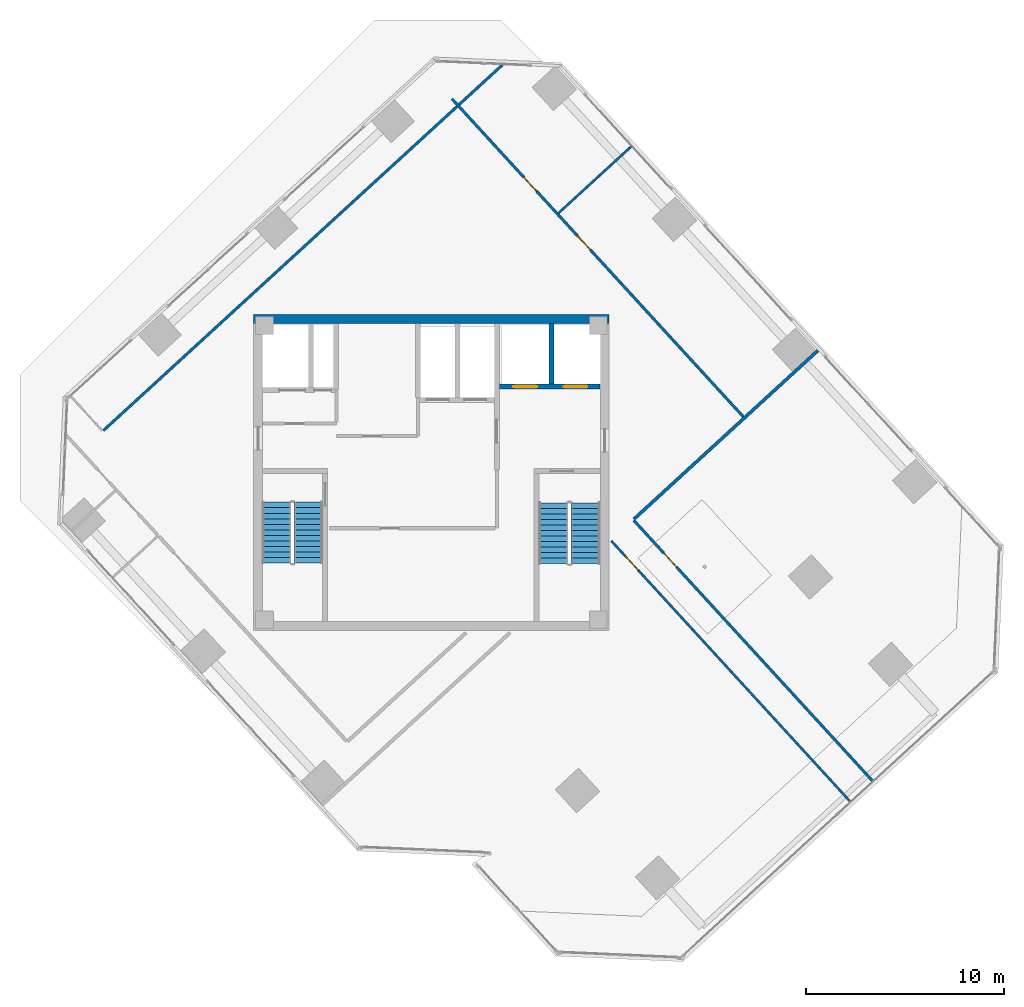
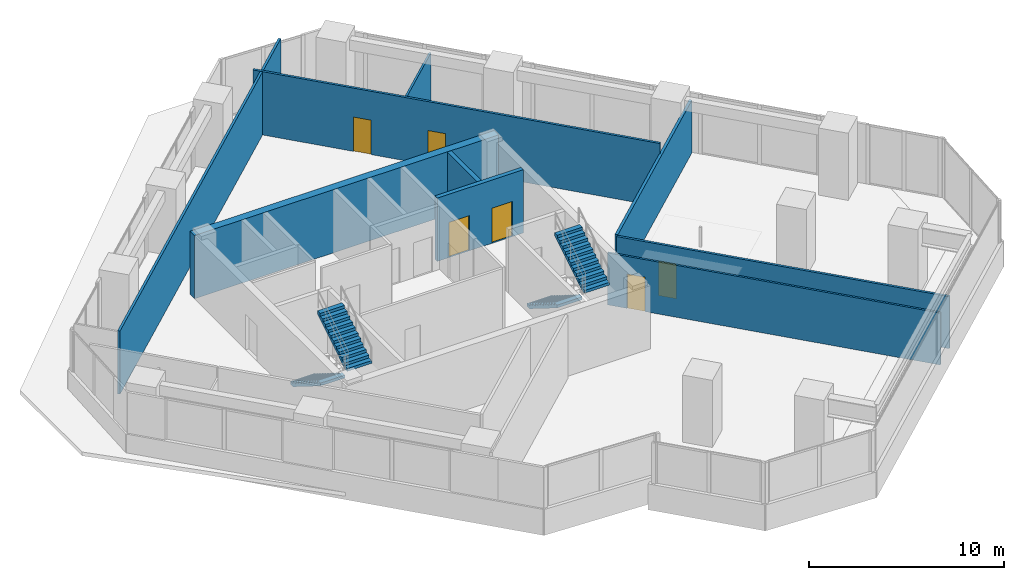
# One storey, part 13 of 17: 9 walls, 6 doors, 4 stair flights, 6 openings, 2 elements without a shape of their own.
"""IFC4 building model written with IfcOpenShell, lengths in metres."""

from ifc_helpers import new_model, si_unit, direction, frame, frame_2d, origin, place, context, subcontext, project, spatial, polyline, rectangle, outline, extrude, source, transform, mapped, material, layer, layer_set, type_object, element, fill, aggregate, save


model = new_model("IFC4")

# Units and contexts
model_context = context("Model", 3, precision=1e-05, world=origin(), true_north=direction((0.0, 1.0)))
body_context = subcontext(model_context, "Body", "Model", "MODEL_VIEW")
ifc_project = project(units=[si_unit("LENGTHUNIT", "METRE"), si_unit("AREAUNIT", "SQUARE_METRE"), si_unit("VOLUMEUNIT", "CUBIC_METRE"), si_unit("PLANEANGLEUNIT", "RADIAN"), si_unit("MASSUNIT", "GRAM", prefix="KILO")], contexts=[model_context])

# Site, building, storey
site_placement = place(None, origin())
site = spatial("IfcSite", under=ifc_project, at=site_placement, CompositionType="ELEMENT")
building_placement = place(site_placement, origin())
building = spatial("IfcBuilding", under=site, at=building_placement, Name="Torre Montelarca", CompositionType="ELEMENT")
storey_placement = place(building_placement, frame((0.0, 0.0, 254.199951171875)))
storey = spatial("IfcBuildingStorey", under=building, at=storey_placement, Name="L57", CompositionType="ELEMENT", Elevation=254.199951171875)

# Wall, openings, doors
ifc_material_1 = material(Name="Concrete C40/50", Category="concrete")
ifc_layer_1 = layer(ifc_material_1, 0.25, Name="Concrete C40/50", Category="concrete")
ifc_layer_set_1 = layer_set([ifc_layer_1], Name="Concrete C40/50")
wall_type_1 = type_object("IfcWallType", Name="CW-SHAFT-250", PredefinedType="SHEAR", material=ifc_layer_set_1)
wall_1_placement = place(storey_placement, frame((21.449951171875, 36.35009765625, 0.0), z_axis=(0.0, 0.0, 1.0), x_axis=(1.0, 0.0, 0.0)))
wall_1 = element("IfcWall", 1, at=wall_1_placement, inside=storey, type_object=wall_type_1, Name="L57 Core Shear Wall SH-FF-S", PredefinedType="SHEAR", context=body_context, shape_type="SweptSolid", body=[
    extrude(rectangle(XDim=5.090087890625, YDim=0.25, at=frame_2d((2.544921875, 0.0))), origin(), (0.0, 0.0, 1.0), 3.9599609375),
])
opening_1_placement = place(wall_1_placement, frame((0.699951171875, 0.0, 0.0)))
opening_1 = element("IfcOpeningElement", 2, at=opening_1_placement, cuts=wall_1, Name="Opening LD-120", PredefinedType="OPENING", context=body_context, shape_type="SweptSolid", body=[
    extrude(rectangle(XDim=1.199951171875, YDim=2.199951171875, at=frame_2d((0.60009765625, 1.10009765625))), frame((0.0, 0.135009765625, 0.0), z_axis=(0.0, -1.0, 0.0), x_axis=(1.0, 0.0, 0.0)), (0.0, 0.0, 1.0), 0.27001953125),
])
opening_2_placement = place(wall_1_placement, frame((3.25, 0.0, 0.0)))
opening_2 = element("IfcOpeningElement", 3, at=opening_2_placement, cuts=wall_1, Name="Opening LD-120", PredefinedType="OPENING", context=body_context, shape_type="SweptSolid", body=[
    extrude(rectangle(XDim=1.199951171875, YDim=2.199951171875, at=frame_2d((0.60009765625, 1.10009765625))), frame((0.0, 0.135009765625, 0.0), z_axis=(0.0, -1.0, 0.0), x_axis=(1.0, 0.0, 0.0)), (0.0, 0.0, 1.0), 0.27001953125),
])
ifc_material_2 = material(Name="Brushed stainless steel AISI 316", Category="steel")
door_type_1 = type_object("IfcDoorType", Name="DR-LIFT-120", OperationType="SLIDING_TO_RIGHT", PredefinedType="DOOR", material=ifc_material_2)
shared_shape_1 = source(origin(), body_context, "Body", "SweptSolid", [
    extrude(rectangle(XDim=1.199951171875, YDim=2.199951171875, at=frame_2d((0.60009765625, 1.10009765625))), frame((0.0, 0.02490234375, 0.0), z_axis=(0.0, -1.0, 0.0), x_axis=(1.0, 0.0, 0.0)), (0.0, 0.0, 1.0), 0.050048828125),
])
door_1_placement = place(opening_1_placement, origin())
door_1 = element("IfcDoor", 4, at=door_1_placement, inside=storey, type_object=door_type_1, Name="L57 Lift Landing Sliding Door FF-1", OperationType="SLIDING_TO_LEFT", OverallHeight=2.199951171875, OverallWidth=1.199951171875, PredefinedType="DOOR", context=body_context, shape_type="MappedRepresentation", body=[
    mapped(shared_shape_1, transform((0.0, 0.0, 0.0), scale=1.0)),
])
fill(opening_1, door_1)
door_2_placement = place(opening_2_placement, origin())
door_2 = element("IfcDoor", 5, at=door_2_placement, inside=storey, type_object=door_type_1, Name="L57 Lift Landing Sliding Door FF-2", OperationType="SLIDING_TO_RIGHT", OverallHeight=2.199951171875, OverallWidth=1.199951171875, PredefinedType="DOOR", context=body_context, shape_type="MappedRepresentation", body=[
    mapped(shared_shape_1, transform((0.0, 0.0, 0.0), scale=1.0)),
])
fill(opening_2, door_2)

# Walls
wall_2_placement = place(storey_placement, frame((24.080078125, 36.47998046875, 0.0), z_axis=(0.0, 0.0, 1.0), x_axis=(0.0, 1.0, 0.0)))
element("IfcWall", 6, at=wall_2_placement, inside=storey, type_object=wall_type_1, Name="L57 Core Shear Wall SH-FF-M", PredefinedType="SHEAR", context=body_context, shape_type="SweptSolid", body=[
    extrude(rectangle(XDim=3.06005859375, YDim=0.25, at=frame_2d((1.530029296875, 0.0))), origin(), (0.0, 0.0, 1.0), 3.9599609375),
])
ifc_material_3 = material(Name="Concrete C55/67", Category="concrete")
ifc_layer_2 = layer(ifc_material_3, 0.449951171875, Name="Concrete C55/67", Category="concrete")
ifc_layer_set_2 = layer_set([ifc_layer_2], Name="Concrete C55/67")
wall_type_2 = type_object("IfcWallType", Name="CW-SHEAR-450", PredefinedType="SHEAR", material=ifc_layer_set_2)
wall_3_placement = place(storey_placement, frame((9.0, 39.77490234375, 0.0), z_axis=(0.0, 0.0, 1.0), x_axis=(1.0, 0.0, 0.0)))
element("IfcWall", 7, at=wall_3_placement, inside=storey, type_object=wall_type_2, Name="L57 Core Shear Wall CW-N1", PredefinedType="SHEAR", context=body_context, shape_type="SweptSolid", body=[
    extrude(rectangle(XDim=18.0, YDim=0.449951171875, at=frame_2d((9.0, 0.0))), origin(), (0.0, 0.0, 1.0), 3.9599609375),
])
ifc_material_4 = material(Name="Gypsum plasterboard on steel stud", Category="steel")
ifc_layer_3 = layer(ifc_material_4, 0.159912109375, Name="Gypsum plasterboard on steel stud", Category="steel")
ifc_layer_set_3 = layer_set([ifc_layer_3], Name="Gypsum plasterboard on steel stud")
wall_type_3 = type_object("IfcWallType", Name="PW-FIRE-160", PredefinedType="PARTITIONING", material=ifc_layer_set_3)
wall_4_placement = place(storey_placement, frame((28.248291015625, 29.638671875, 0.0), z_axis=(0.0, 0.0, 1.0), x_axis=(0.73728000412, 0.675587296746, 0.0)))
element("IfcWall", 8, at=wall_4_placement, inside=storey, type_object=wall_type_3, Name="L57 Interior Partition W-L57-ECN", PredefinedType="PARTITIONING", context=body_context, shape_type="SweptSolid", body=[
    extrude(rectangle(XDim=12.639892578125, YDim=0.159912109375, at=frame_2d((6.31982421875, 0.0))), origin(), (0.0, 0.0, 1.0), 3.295166015625),
])
ifc_layer_4 = layer(ifc_material_4, 0.114990234375, Name="Gypsum plasterboard on steel stud", Category="steel")
ifc_layer_set_4 = layer_set([ifc_layer_4], Name="Gypsum plasterboard on steel stud")
wall_type_4 = type_object("IfcWallType", Name="PW-PART-115", PredefinedType="PARTITIONING", material=ifc_layer_set_4)
wall_5_placement = place(storey_placement, frame((24.415283203125, 45.115234375, 0.0), z_axis=(0.0, 0.0, 1.0), x_axis=(0.737279537385, 0.675587806101, 0.0)))
element("IfcWall", 9, at=wall_5_placement, inside=storey, type_object=wall_type_4, Name="L57 Interior Partition W-L57-NDIV-1", PredefinedType="PARTITIONING", context=body_context, shape_type="SweptSolid", body=[
    extrude(rectangle(XDim=5.010009765625, YDim=0.114990234375, at=frame_2d((2.5048828125, 0.0))), origin(), (0.0, 0.0, 1.0), 3.295166015625),
])

# Wall, opening, door
wall_6_placement = place(storey_placement, frame((27.1103515625, 28.541748046875, 0.0), z_axis=(0.0, 0.0, 1.0), x_axis=(0.675588589041, -0.737278819957, 0.0)))
wall_6 = element("IfcWall", 10, at=wall_6_placement, inside=storey, type_object=wall_type_4, Name="L57 Interior Partition W-L57-SE-N", PredefinedType="PARTITIONING", context=body_context, shape_type="SweptSolid", body=[
    extrude(rectangle(XDim=17.880126953125, YDim=0.114990234375, at=frame_2d((8.93994140625, 0.0))), origin(), (0.0, 0.0, 1.0), 3.25244140625),
])
opening_3_placement = place(wall_6_placement, frame((1.050048828125, 0.0, 0.0)))
opening_3 = element("IfcOpeningElement", 11, at=opening_3_placement, cuts=wall_6, Name="Opening ID-095", PredefinedType="OPENING", context=body_context, shape_type="SweptSolid", body=[
    extrude(rectangle(XDim=0.949951171875, YDim=2.14990234375, at=frame_2d((0.47509765625, 1.074951171875))), frame((0.0, 0.0673828125, 0.0), z_axis=(0.0, -1.0, 0.0), x_axis=(1.0, 0.0, 0.0)), (0.0, 0.0, 1.0), 0.135009765625),
])
ifc_material_5 = material(Name="Hardwood acoustic timber veneer", Category="wood")
door_type_2 = type_object("IfcDoorType", Name="DR-INT-095", OperationType="NOTDEFINED", PredefinedType="DOOR", material=ifc_material_5)
shared_shape_2 = source(origin(), body_context, "Body", "SweptSolid", [
    extrude(rectangle(XDim=0.949951171875, YDim=2.14990234375, at=frame_2d((0.47509765625, 1.074951171875))), frame((0.0, 0.02490234375, 0.0), z_axis=(0.0, -1.0, 0.0), x_axis=(1.0, 0.0, 0.0)), (0.0, 0.0, 1.0), 0.050048828125),
])
door_3_placement = place(opening_3_placement, origin())
door_3 = element("IfcDoor", 12, at=door_3_placement, inside=storey, type_object=door_type_2, Name="L57 Interior Door 11", OperationType="SINGLE_SWING_LEFT", OverallHeight=2.14990234375, OverallWidth=0.949951171875, PredefinedType="DOOR", context=body_context, shape_type="MappedRepresentation", body=[
    mapped(shared_shape_2, transform((0.0, 0.0, 0.0), scale=1.0)),
])
fill(opening_3, door_3)

# Wall, openings, doors
ifc_layer_5 = layer(ifc_material_4, 0.135009765625, Name="Gypsum plasterboard on steel stud", Category="steel")
ifc_layer_set_5 = layer_set([ifc_layer_5], Name="Gypsum plasterboard on steel stud")
wall_type_5 = type_object("IfcWallType", Name="PW-PART-135", PredefinedType="PARTITIONING", material=ifc_layer_set_5)
wall_7_placement = place(storey_placement, frame((19.0419921875, 50.920166015625, 0.0), z_axis=(0.0, 0.0, 1.0), x_axis=(0.675589646996, -0.737277850523, 0.0)))
wall_7 = element("IfcWall", 13, at=wall_7_placement, inside=storey, type_object=wall_type_5, Name="L57 Interior Partition W-L57-NBOT", PredefinedType="PARTITIONING", context=body_context, shape_type="SweptSolid", body=[
    extrude(rectangle(XDim=21.8701171875, YDim=0.135009765625, at=frame_2d((10.93505859375, 0.0))), origin(), (0.0, 0.0, 1.0), 3.9599609375),
])
opening_4_placement = place(wall_7_placement, frame((5.39990234375, 0.0, 0.0)))
opening_4 = element("IfcOpeningElement", 14, at=opening_4_placement, cuts=wall_7, Name="Opening ID-095", PredefinedType="OPENING", context=body_context, shape_type="SweptSolid", body=[
    extrude(rectangle(XDim=0.949951171875, YDim=2.14990234375, at=frame_2d((0.47509765625, 1.074951171875))), frame((0.0, 0.07763671875, 0.0), z_axis=(0.0, -1.0, 0.0), x_axis=(1.0, 0.0, 0.0)), (0.0, 0.0, 1.0), 0.155029296875),
])
opening_5_placement = place(wall_7_placement, frame((9.39990234375, 0.0, 0.0)))
opening_5 = element("IfcOpeningElement", 15, at=opening_5_placement, cuts=wall_7, Name="Opening ID-095", PredefinedType="OPENING", context=body_context, shape_type="SweptSolid", body=[
    extrude(rectangle(XDim=0.949951171875, YDim=2.14990234375, at=frame_2d((0.47509765625, 1.074951171875))), frame((0.0, 0.07763671875, 0.0), z_axis=(0.0, -1.0, 0.0), x_axis=(1.0, 0.0, 0.0)), (0.0, 0.0, 1.0), 0.155029296875),
])
door_4_placement = place(opening_4_placement, origin())
door_4 = element("IfcDoor", 16, at=door_4_placement, inside=storey, type_object=door_type_2, Name="L57 Interior Door 07", OperationType="SINGLE_SWING_LEFT", OverallHeight=2.14990234375, OverallWidth=0.949951171875, PredefinedType="DOOR", context=body_context, shape_type="MappedRepresentation", body=[
    mapped(shared_shape_2, transform((0.0, 0.0, 0.0), scale=1.0)),
])
fill(opening_4, door_4)
door_5_placement = place(opening_5_placement, origin())
door_5 = element("IfcDoor", 17, at=door_5_placement, inside=storey, type_object=door_type_2, Name="L57 Interior Door 08", OperationType="SINGLE_SWING_RIGHT", OverallHeight=2.14990234375, OverallWidth=0.949951171875, PredefinedType="DOOR", context=body_context, shape_type="MappedRepresentation", body=[
    mapped(shared_shape_2, transform((0.0, 0.0, 0.0), scale=1.0)),
])
fill(opening_5, door_5)

# Wall
wall_8_placement = place(storey_placement, frame((1.392578125, 34.12353515625, 0.0), z_axis=(0.0, 0.0, 1.0), x_axis=(0.737274323436, 0.675593496121, 0.0)))
element("IfcWall", 18, at=wall_8_placement, inside=storey, type_object=wall_type_5, Name="L57 Interior Partition W-L57-WPKE", PredefinedType="PARTITIONING", context=body_context, shape_type="SweptSolid", body=[
    extrude(rectangle(XDim=27.402099609375, YDim=0.135009765625, at=frame_2d((13.701171875, 0.0))), origin(), (0.0, 0.0, 1.0), 3.9599609375),
])

# Wall, opening, door
wall_9_placement = place(storey_placement, frame((28.24560546875, 29.58203125, 0.0), z_axis=(0.0, 0.0, 1.0), x_axis=(0.67559539026, -0.737272587758, 0.0)))
wall_9 = element("IfcWall", 19, at=wall_9_placement, inside=storey, type_object=wall_type_5, Name="L57 Interior Partition W-L57-NE-S", PredefinedType="PARTITIONING", context=body_context, shape_type="SweptSolid", body=[
    extrude(rectangle(XDim=17.8798828125, YDim=0.135009765625, at=frame_2d((8.93994140625, 0.0))), origin(), (0.0, 0.0, 1.0), 3.25244140625),
])
opening_6_placement = place(wall_9_placement, frame((2.25, 0.0, 0.0)))
opening_6 = element("IfcOpeningElement", 20, at=opening_6_placement, cuts=wall_9, Name="Opening ID-095", PredefinedType="OPENING", context=body_context, shape_type="SweptSolid", body=[
    extrude(rectangle(XDim=0.949951171875, YDim=2.14990234375, at=frame_2d((0.47509765625, 1.074951171875))), frame((0.0, 0.07763671875, 0.0), z_axis=(0.0, -1.0, 0.0), x_axis=(1.0, 0.0, 0.0)), (0.0, 0.0, 1.0), 0.155029296875),
])
door_6_placement = place(opening_6_placement, origin())
door_6 = element("IfcDoor", 21, at=door_6_placement, inside=storey, type_object=door_type_2, Name="L57 Interior Door 10", OperationType="SINGLE_SWING_LEFT", OverallHeight=2.14990234375, OverallWidth=0.949951171875, PredefinedType="DOOR", context=body_context, shape_type="MappedRepresentation", body=[
    mapped(shared_shape_2, transform((0.0, 0.0, 0.0), scale=1.0)),
])
fill(opening_6, door_6)

# Stair, stair flights
stair_type_1 = type_object("IfcStairType", Name="ST-CORE-ST1", PredefinedType="HALF_TURN_STAIR", material=ifc_material_1)
stair_1_placement = place(storey_placement, origin())
stair_1 = element("IfcStair", 22, at=stair_1_placement, inside=storey, type_object=stair_type_1, Name="L57 Protected Exit Stair ST1", PredefinedType="HALF_TURN_STAIR")
stair_flight_type_1 = type_object("IfcStairFlightType", Name="SFL-CORE-ST1", PredefinedType="STRAIGHT", material=ifc_material_1)
stair_flight_1_placement = place(storey_placement, frame((10.175048828125, 30.5, 0.0), z_axis=(0.0, 0.0, 1.0), x_axis=(0.0, -1.0, 0.0)))
stair_flight_1 = element("IfcStairFlight", 23, at=stair_flight_1_placement, type_object=stair_flight_type_1, Name="ST1 flight 1", NumberOfRisers=12, NumberOfTreads=11, PredefinedType="STRAIGHT", RiserHeight=0.175, TreadLength=0.28, context=body_context, shape_type="SweptSolid", body=[
    extrude(outline(polyline([(0.0, 0.0), (0.0, 0.175048828125), (0.280029296875, 0.175048828125), (0.280029296875, 0.35009765625), (0.56005859375, 0.35009765625), (0.56005859375, 0.52490234375), (0.840087890625, 0.52490234375), (0.840087890625, 0.699951171875), (1.1201171875, 0.699951171875), (1.1201171875, 0.875), (1.39990234375, 0.875), (1.39990234375, 1.050048828125), (1.679931640625, 1.050048828125), (1.679931640625, 1.22509765625), (1.9599609375, 1.22509765625), (1.9599609375, 1.39990234375), (2.239990234375, 1.39990234375), (2.239990234375, 1.574951171875), (2.52001953125, 1.574951171875), (2.52001953125, 1.75), (2.800048828125, 1.75), (2.800048828125, 1.925048828125), (3.080078125, 1.925048828125), (3.080078125, 2.10009765625), (3.080078125, 1.748291015625), (0.28271484375, 0.0), (0.0, 0.0)])), frame((0.0, 0.72509765625, 0.0), z_axis=(0.0, -1.0, 0.0), x_axis=(1.0, 0.0, 0.0)), (0.0, 0.0, 1.0), 1.449951171875),
])
stair_flight_2_placement = place(storey_placement, frame((11.77490234375, 27.419921875, 2.10009765625), z_axis=(0.0, 0.0, 1.0), x_axis=(0.0, 1.0, 0.0)))
stair_flight_2 = element("IfcStairFlight", 24, at=stair_flight_2_placement, type_object=stair_flight_type_1, Name="ST1 flight 2", NumberOfRisers=12, NumberOfTreads=11, PredefinedType="STRAIGHT", RiserHeight=0.175, TreadLength=0.28, context=body_context, shape_type="SweptSolid", body=[
    extrude(outline(polyline([(0.0, 0.0), (0.0, 0.175048828125), (0.280029296875, 0.175048828125), (0.280029296875, 0.35009765625), (0.56005859375, 0.35009765625), (0.56005859375, 0.52490234375), (0.840087890625, 0.52490234375), (0.840087890625, 0.699951171875), (1.1201171875, 0.699951171875), (1.1201171875, 0.875), (1.39990234375, 0.875), (1.39990234375, 1.050048828125), (1.679931640625, 1.050048828125), (1.679931640625, 1.22509765625), (1.9599609375, 1.22509765625), (1.9599609375, 1.39990234375), (2.239990234375, 1.39990234375), (2.239990234375, 1.574951171875), (2.52001953125, 1.574951171875), (2.52001953125, 1.75), (2.800048828125, 1.75), (2.800048828125, 1.925048828125), (3.080078125, 1.925048828125), (3.080078125, 2.10009765625), (3.080078125, 1.748291015625), (0.28271484375, 0.0), (0.0, 0.0)])), frame((0.0, 0.72509765625, 0.0), z_axis=(0.0, -1.0, 0.0), x_axis=(1.0, 0.0, 0.0)), (0.0, 0.0, 1.0), 1.449951171875),
])
aggregate(stair_1, [stair_flight_1, stair_flight_2])

stair_type_2 = type_object("IfcStairType", Name="ST-CORE-ST2", PredefinedType="HALF_TURN_STAIR", material=ifc_material_1)
stair_2_placement = place(storey_placement, origin())
stair_2 = element("IfcStair", 25, at=stair_2_placement, inside=storey, type_object=stair_type_2, Name="L57 Protected Exit Stair ST2", PredefinedType="HALF_TURN_STAIR")
stair_flight_type_2 = type_object("IfcStairFlightType", Name="SFL-CORE-ST2", PredefinedType="STRAIGHT", material=ifc_material_1)
stair_flight_3_placement = place(storey_placement, frame((24.179931640625, 30.469970703125, 0.0), z_axis=(0.0, 0.0, 1.0), x_axis=(0.0, -1.0, 0.0)))
stair_flight_3 = element("IfcStairFlight", 26, at=stair_flight_3_placement, type_object=stair_flight_type_2, Name="ST2 flight 1", NumberOfRisers=12, NumberOfTreads=11, PredefinedType="STRAIGHT", RiserHeight=0.175, TreadLength=0.28, context=body_context, shape_type="SweptSolid", body=[
    extrude(outline(polyline([(0.0, 0.0), (0.0, 0.175048828125), (0.280029296875, 0.175048828125), (0.280029296875, 0.35009765625), (0.56005859375, 0.35009765625), (0.56005859375, 0.52490234375), (0.840087890625, 0.52490234375), (0.840087890625, 0.699951171875), (1.1201171875, 0.699951171875), (1.1201171875, 0.875), (1.39990234375, 0.875), (1.39990234375, 1.050048828125), (1.679931640625, 1.050048828125), (1.679931640625, 1.22509765625), (1.9599609375, 1.22509765625), (1.9599609375, 1.39990234375), (2.239990234375, 1.39990234375), (2.239990234375, 1.574951171875), (2.52001953125, 1.574951171875), (2.52001953125, 1.75), (2.800048828125, 1.75), (2.800048828125, 1.925048828125), (3.080078125, 1.925048828125), (3.080078125, 2.10009765625), (3.080078125, 1.748291015625), (0.28271484375, 0.0), (0.0, 0.0)])), frame((0.0, 0.739990234375, 0.0), z_axis=(0.0, -1.0, 0.0), x_axis=(1.0, 0.0, 0.0)), (0.0, 0.0, 1.0), 1.47998046875),
])
stair_flight_4_placement = place(storey_placement, frame((25.81005859375, 27.389892578125, 2.10009765625), z_axis=(0.0, 0.0, 1.0), x_axis=(0.0, 1.0, 0.0)))
stair_flight_4 = element("IfcStairFlight", 27, at=stair_flight_4_placement, type_object=stair_flight_type_2, Name="ST2 flight 2", NumberOfRisers=12, NumberOfTreads=11, PredefinedType="STRAIGHT", RiserHeight=0.175, TreadLength=0.28, context=body_context, shape_type="SweptSolid", body=[
    extrude(outline(polyline([(0.0, 0.0), (0.0, 0.175048828125), (0.280029296875, 0.175048828125), (0.280029296875, 0.35009765625), (0.56005859375, 0.35009765625), (0.56005859375, 0.52490234375), (0.840087890625, 0.52490234375), (0.840087890625, 0.699951171875), (1.1201171875, 0.699951171875), (1.1201171875, 0.875), (1.39990234375, 0.875), (1.39990234375, 1.050048828125), (1.679931640625, 1.050048828125), (1.679931640625, 1.22509765625), (1.9599609375, 1.22509765625), (1.9599609375, 1.39990234375), (2.239990234375, 1.39990234375), (2.239990234375, 1.574951171875), (2.52001953125, 1.574951171875), (2.52001953125, 1.75), (2.800048828125, 1.75), (2.800048828125, 1.925048828125), (3.080078125, 1.925048828125), (3.080078125, 2.10009765625), (3.080078125, 1.748291015625), (0.28271484375, 0.0), (0.0, 0.0)])), frame((0.0, 0.739990234375, 0.0), z_axis=(0.0, -1.0, 0.0), x_axis=(1.0, 0.0, 0.0)), (0.0, 0.0, 1.0), 1.47998046875),
])
aggregate(stair_2, [stair_flight_3, stair_flight_4])

save(model, "model.ifc")
